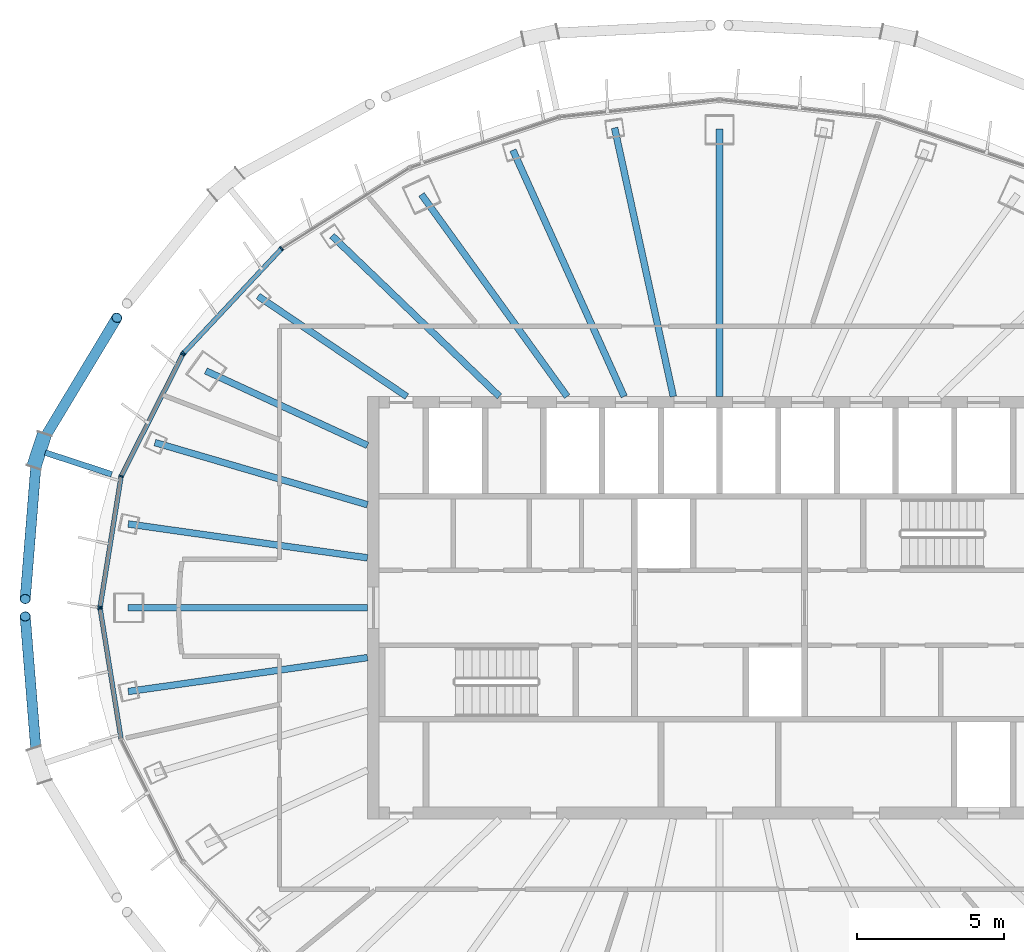
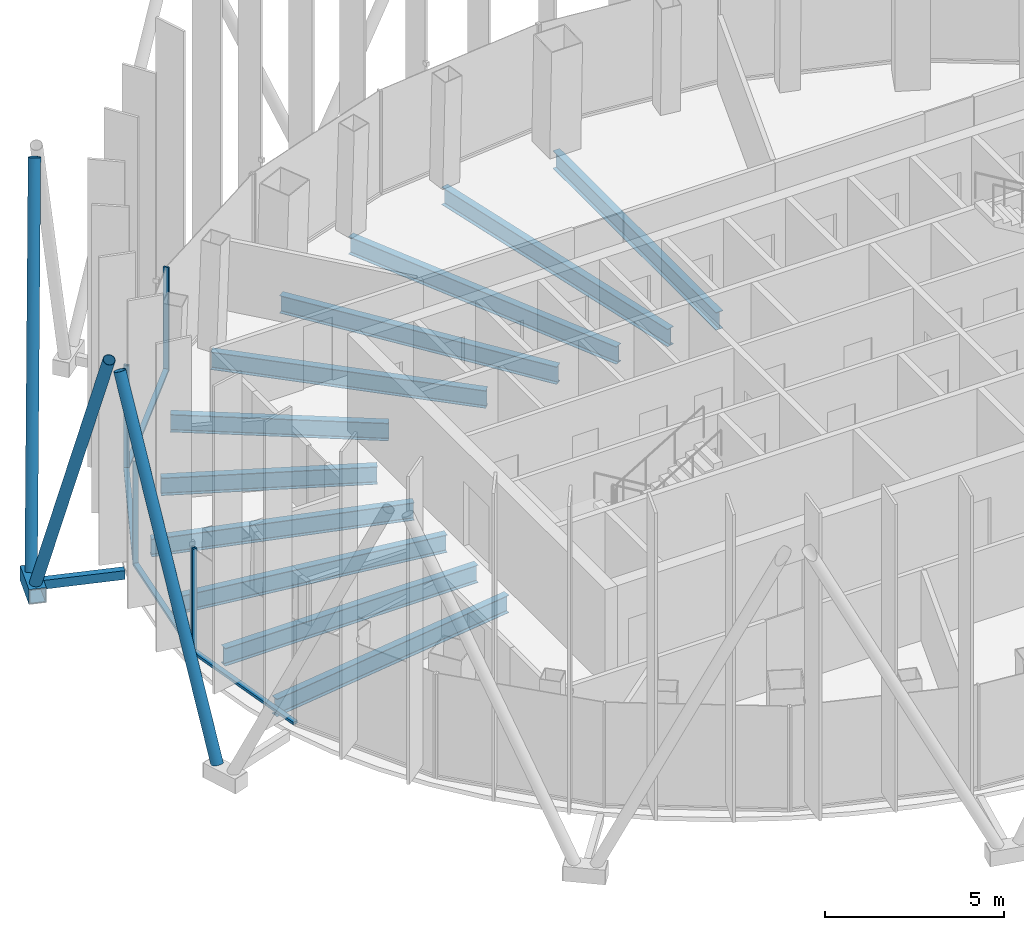
# One storey, part 4 of 19: 15 members, 11 beams, 3 elements without a shape of their own.
"""IFC4 building model written with IfcOpenShell, lengths in metres."""

from ifc_helpers import new_model, si_unit, direction, frame, origin, origin_2d, place, context, subcontext, project, spatial, rectangle, hollow_rectangle, hollow_circle, i_section, extrude, material, layer, layer_set, material_profile, profile_set, type_object, element, aggregate, save


model = new_model("IFC4")

# Units and contexts
model_context = context("Model", 3, precision=1e-05, world=origin(), true_north=direction((0.0, 1.0)))
body_context = subcontext(model_context, "Body", "Model", "MODEL_VIEW")
ifc_project = project(units=[si_unit("LENGTHUNIT", "METRE"), si_unit("AREAUNIT", "SQUARE_METRE"), si_unit("VOLUMEUNIT", "CUBIC_METRE"), si_unit("PLANEANGLEUNIT", "RADIAN"), si_unit("MASSUNIT", "GRAM", prefix="KILO")], contexts=[model_context])

# Site, building, storey
site_placement = place(None, origin())
site = spatial("IfcSite", under=ifc_project, at=site_placement, CompositionType="ELEMENT")
building_placement = place(site_placement, origin())
building = spatial("IfcBuilding", under=site, at=building_placement, Name="Siaravel Broadcast Tower", CompositionType="ELEMENT")
storey_placement = place(building_placement, frame((0.0, 0.0, 239.300048828125)))
storey = spatial("IfcBuildingStorey", under=building, at=storey_placement, Name="L58", CompositionType="ELEMENT", Elevation=239.300048828125)

# Beams
ifc_material_1 = material(Name="Steel S355", Category="steel")
ifc_material_profile_1 = material_profile(ifc_material_1, i_section(OverallWidth=0.2275390625, OverallDepth=0.6025390625, WebThickness=0.010498046875, FlangeThickness=0.014892578125, FilletRadius=0.0126953125, at=origin_2d()))
ifc_profile_set_1 = profile_set([ifc_material_profile_1], Name="Steel S355")
beam_type = type_object("IfcBeamType", Name="BM-UB 610x229x101", PredefinedType="BEAM", material=ifc_profile_set_1)
beam_1_placement = place(storey_placement, frame((0.0, 16.314208984375, -0.451416015625), z_axis=(0.0, -1.0, 0.0), x_axis=(1.0, 0.0, 0.0)))
element("IfcBeam", 1, at=beam_1_placement, inside=storey, type_object=beam_type, Name="Radial beam RB10", PredefinedType="BEAM", context=body_context, shape_type="SweptSolid", body=[
    extrude(i_section(OverallWidth=0.2275390625, OverallDepth=0.6025390625, WebThickness=0.010498046875, FlangeThickness=0.014892578125, FilletRadius=0.0126953125, at=origin_2d()), origin(), (0.0, 0.0, 1.0), 9.1142578125),
])
beam_2_placement = place(storey_placement, frame((-3.577392578125, 16.35791015625, -0.451416015625), z_axis=(0.213633966, -0.976913777, 0.0), x_axis=(0.976913777, 0.213633966, 0.0)))
element("IfcBeam", 2, at=beam_2_placement, inside=storey, type_object=beam_type, Name="Radial beam RB11", PredefinedType="BEAM", context=body_context, shape_type="SweptSolid", body=[
    extrude(i_section(OverallWidth=0.2275390625, OverallDepth=0.6025390625, WebThickness=0.010498046875, FlangeThickness=0.014892578125, FilletRadius=0.0126953125, at=origin_2d()), origin(), (0.0, 0.0, 1.0), 9.374267578125),
])
beam_3_placement = place(storey_placement, frame((-7.042724609375, 15.597412109375, -0.451416015625), z_axis=(0.411505786, -0.911407147, 0.0), x_axis=(0.911407147, 0.411505786, 0.0)))
element("IfcBeam", 3, at=beam_3_placement, inside=storey, type_object=beam_type, Name="Radial beam RB12", PredefinedType="BEAM", context=body_context, shape_type="SweptSolid", body=[
    extrude(i_section(OverallWidth=0.2275390625, OverallDepth=0.6025390625, WebThickness=0.010498046875, FlangeThickness=0.014892578125, FilletRadius=0.0126953125, at=origin_2d()), origin(), (0.0, 0.0, 1.0), 9.213623046875),
])
beam_4_placement = place(storey_placement, frame((-10.15966796875, 14.0869140625, -0.451416015625), z_axis=(0.584939282, -0.811077084, 0.0), x_axis=(0.811077084, 0.584939282, 0.0)))
element("IfcBeam", 4, at=beam_4_placement, inside=storey, type_object=beam_type, Name="Radial beam RB13", PredefinedType="BEAM", context=body_context, shape_type="SweptSolid", body=[
    extrude(i_section(OverallWidth=0.2275390625, OverallDepth=0.6025390625, WebThickness=0.010498046875, FlangeThickness=0.014892578125, FilletRadius=0.0126953125, at=origin_2d()), origin(), (0.0, 0.0, 1.0), 8.4912109375),
])
beam_5_placement = place(storey_placement, frame((-13.21240234375, 12.680908203125, -0.451416015625), z_axis=(0.721455119, -0.692461198, 0.0), x_axis=(0.692461198, 0.721455119, 0.0)))
element("IfcBeam", 5, at=beam_5_placement, inside=storey, type_object=beam_type, Name="Radial beam RB14", PredefinedType="BEAM", context=body_context, shape_type="SweptSolid", body=[
    extrude(i_section(OverallWidth=0.2275390625, OverallDepth=0.6025390625, WebThickness=0.010498046875, FlangeThickness=0.014892578125, FilletRadius=0.0126953125, at=origin_2d()), origin(), (0.0, 0.0, 1.0), 7.915283203125),
])
beam_6_placement = place(storey_placement, frame((-15.727294921875, 10.62109375, -0.451416015625), z_axis=(0.828723642, -0.559658043, 0.0), x_axis=(0.559658043, 0.828723642, 0.0)))
element("IfcBeam", 6, at=beam_6_placement, inside=storey, type_object=beam_type, Name="Radial beam RB15", PredefinedType="BEAM", context=body_context, shape_type="SweptSolid", body=[
    extrude(i_section(OverallWidth=0.2275390625, OverallDepth=0.6025390625, WebThickness=0.010498046875, FlangeThickness=0.014892578125, FilletRadius=0.0126953125, at=origin_2d()), origin(), (0.0, 0.0, 1.0), 6.113037109375),
])
beam_7_placement = place(storey_placement, frame((-17.512451171875, 8.073486328125, -0.451416015625), z_axis=(0.908128823, -0.418690865, 0.0), x_axis=(0.418690865, 0.908128823, 0.0)))
element("IfcBeam", 7, at=beam_7_placement, inside=storey, type_object=beam_type, Name="Radial beam RB16", PredefinedType="BEAM", context=body_context, shape_type="SweptSolid", body=[
    extrude(i_section(OverallWidth=0.2275390625, OverallDepth=0.6025390625, WebThickness=0.010498046875, FlangeThickness=0.014892578125, FilletRadius=0.0126953125, at=origin_2d()), origin(), (0.0, 0.0, 1.0), 6.070068359375),
])
beam_8_placement = place(storey_placement, frame((-19.24658203125, 5.631103515625, -0.451416015625), z_axis=(0.959767168, -0.280797052, 0.0), x_axis=(0.280797052, 0.959767168, 0.0)))
element("IfcBeam", 8, at=beam_8_placement, inside=storey, type_object=beam_type, Name="Radial beam RB17", PredefinedType="BEAM", context=body_context, shape_type="SweptSolid", body=[
    extrude(i_section(OverallWidth=0.2275390625, OverallDepth=0.6025390625, WebThickness=0.010498046875, FlangeThickness=0.014892578125, FilletRadius=0.0126953125, at=origin_2d()), origin(), (0.0, 0.0, 1.0), 7.55029296875),
])
beam_9_placement = place(storey_placement, frame((-20.15478515625, 2.855712890625, -0.451416015625), z_axis=(0.990109516, -0.140296639, 0.0), x_axis=(0.140296639, 0.990109516, 0.0)))
element("IfcBeam", 9, at=beam_9_placement, inside=storey, type_object=beam_type, Name="Radial beam RB18", PredefinedType="BEAM", context=body_context, shape_type="SweptSolid", body=[
    extrude(i_section(OverallWidth=0.2275390625, OverallDepth=0.6025390625, WebThickness=0.010498046875, FlangeThickness=0.014892578125, FilletRadius=0.0126953125, at=origin_2d()), origin(), (0.0, 0.0, 1.0), 8.236328125),
])
beam_10_placement = place(storey_placement, frame((-20.159912109375, 0.0, -0.451416015625), z_axis=(1.0, 0.0, 0.0), x_axis=(0.0, 1.0, 0.0)))
element("IfcBeam", 10, at=beam_10_placement, inside=storey, type_object=beam_type, Name="Radial beam RB19", PredefinedType="BEAM", context=body_context, shape_type="SweptSolid", body=[
    extrude(i_section(OverallWidth=0.2275390625, OverallDepth=0.6025390625, WebThickness=0.010498046875, FlangeThickness=0.014892578125, FilletRadius=0.0126953125, at=origin_2d()), origin(), (0.0, 0.0, 1.0), 8.159912109375),
])
beam_11_placement = place(storey_placement, frame((-20.15478515625, -2.855712890625, -0.451416015625), z_axis=(0.990109516, 0.140296639, 0.0), x_axis=(-0.140296639, 0.990109516, 0.0)))
element("IfcBeam", 11, at=beam_11_placement, inside=storey, type_object=beam_type, Name="Radial beam RB20", PredefinedType="BEAM", context=body_context, shape_type="SweptSolid", body=[
    extrude(i_section(OverallWidth=0.2275390625, OverallDepth=0.6025390625, WebThickness=0.010498046875, FlangeThickness=0.014892578125, FilletRadius=0.0126953125, at=origin_2d()), origin(), (0.0, 0.0, 1.0), 8.236328125),
])

# Curtain wall, members
ifc_material_2 = material(Name="Aluminium 6063-T6", Category="aluminium")
ifc_layer = layer(ifc_material_2, 0.159912109375)
ifc_layer_set = layer_set([ifc_layer], Name="Aluminium 6063-T6")
curtain_wall_type = type_object("IfcCurtainWallType", Name="Unitised curtain wall, zone 4", PredefinedType="NOTDEFINED", material=ifc_layer_set)
curtain_wall_1_placement = place(storey_placement, origin())
curtain_wall_1 = element("IfcCurtainWall", 12, at=curtain_wall_1_placement, inside=storey, type_object=curtain_wall_type, Name="L58 Unitised curtain wall, zone 4 05", PredefinedType="NOTDEFINED")
ifc_material_profile_2 = material_profile(ifc_material_2, rectangle(XDim=0.159912109375, YDim=0.054931640625, at=origin_2d()))
ifc_profile_set_2 = profile_set([ifc_material_profile_2], Name="Aluminium 6063-T6")
member_type_1 = type_object("IfcMemberType", Name="CW-Z4 mullion", PredefinedType="MULLION", material=ifc_profile_set_2)
member_1_placement = place(storey_placement, frame((-14.928955078125, 12.2412109375, 0.0), z_axis=(0.0, 0.0, 1.0), x_axis=(0.636219923, -0.771507751, 0.0)))
member_1 = element("IfcMember", 13, at=member_1_placement, type_object=member_type_1, Name="CW-Z4 mullion 2", PredefinedType="MULLION", context=body_context, shape_type="SweptSolid", body=[
    extrude(rectangle(XDim=0.159912109375, YDim=0.054931640625, at=origin_2d()), origin(), (0.0, 0.0, 1.0), 3.550048828125),
])
member_2_placement = place(storey_placement, frame((-18.267333984375, 8.67724609375, 0.0), z_axis=(0.0, 0.0, 1.0), x_axis=(0.729806527, -0.683653738, 0.0)))
member_2 = element("IfcMember", 14, at=member_2_placement, type_object=member_type_1, Name="CW-Z4 mullion 3", PredefinedType="MULLION", context=body_context, shape_type="SweptSolid", body=[
    extrude(rectangle(XDim=0.159912109375, YDim=0.054931640625, at=origin_2d()), origin(), (0.0, 0.0, 1.0), 3.550048828125),
])

curtain_wall_2_placement = place(storey_placement, origin())
curtain_wall_2 = element("IfcCurtainWall", 15, at=curtain_wall_2_placement, inside=storey, type_object=curtain_wall_type, Name="L58 Unitised curtain wall, zone 4 06", PredefinedType="NOTDEFINED")
member_3_placement = place(storey_placement, frame((-18.298583984375, 8.6328125, 0.0), z_axis=(0.0, 0.0, 1.0), x_axis=(0.892392891, -0.451259268, 0.0)))
member_3 = element("IfcMember", 16, at=member_3_placement, type_object=member_type_1, Name="CW-Z4 mullion 1", PredefinedType="MULLION", context=body_context, shape_type="SweptSolid", body=[
    extrude(rectangle(XDim=0.159912109375, YDim=0.054931640625, at=origin_2d()), origin(), (0.0, 0.0, 1.0), 3.550048828125),
])
member_4_placement = place(storey_placement, frame((-20.3974609375, 4.48193359375, 0.0), z_axis=(0.0, 0.0, 1.0), x_axis=(0.951177611, -0.308644055, 0.0)))
member_4 = element("IfcMember", 17, at=member_4_placement, type_object=member_type_1, Name="CW-Z4 mullion 2", PredefinedType="MULLION", context=body_context, shape_type="SweptSolid", body=[
    extrude(rectangle(XDim=0.159912109375, YDim=0.054931640625, at=origin_2d()), origin(), (0.0, 0.0, 1.0), 3.550048828125),
])
member_5_placement = place(storey_placement, frame((-21.11328125, 0.027099609375, 0.0), z_axis=(0.0, 0.0, 1.0), x_axis=(0.987329304, -0.158684735, 0.0)))
member_5 = element("IfcMember", 18, at=member_5_placement, type_object=member_type_1, Name="CW-Z4 mullion 3", PredefinedType="MULLION", context=body_context, shape_type="SweptSolid", body=[
    extrude(rectangle(XDim=0.159912109375, YDim=0.054931640625, at=origin_2d()), origin(), (0.0, 0.0, 1.0), 3.550048828125),
])

# Curtain wall, member
curtain_wall_3_placement = place(storey_placement, origin())
curtain_wall_3 = element("IfcCurtainWall", 19, at=curtain_wall_3_placement, inside=storey, type_object=curtain_wall_type, Name="L58 Unitised curtain wall, zone 4 07", PredefinedType="NOTDEFINED")
member_6_placement = place(storey_placement, frame((-21.11328125, -0.027099609375, 0.0), z_axis=(0.0, 0.0, 1.0), x_axis=(0.987329304, 0.158684735, 0.0)))
member_6 = element("IfcMember", 20, at=member_6_placement, type_object=member_type_1, Name="CW-Z4 mullion 1", PredefinedType="MULLION", context=body_context, shape_type="SweptSolid", body=[
    extrude(rectangle(XDim=0.159912109375, YDim=0.054931640625, at=origin_2d()), origin(), (0.0, 0.0, 1.0), 3.550048828125),
])

# Member
ifc_material_profile_3 = material_profile(ifc_material_2, rectangle(XDim=0.159912109375, YDim=0.090087890625, at=origin_2d()))
ifc_profile_set_3 = profile_set([ifc_material_profile_3], Name="Aluminium 6063-T6")
member_type_2 = type_object("IfcMemberType", Name="CW-Z4 transom", PredefinedType="USERDEFINED", material=ifc_profile_set_3)
member_7_placement = place(storey_placement, frame((-14.94775390625, 12.22119140625, 0.044921875), z_axis=(-0.683646721, -0.7298131, 0.0), x_axis=(0.7298131, -0.683646721, 0.0)))
member_7 = element("IfcMember", 21, at=member_7_placement, type_object=member_type_2, Name="CW-Z4 transom 2", ObjectType="TRANSOM", PredefinedType="USERDEFINED", context=body_context, shape_type="SweptSolid", body=[
    extrude(rectangle(XDim=0.159912109375, YDim=0.090087890625, at=origin_2d()), origin(), (0.0, 0.0, 1.0), 4.828125),
])

aggregate(curtain_wall_1, [member_1, member_2, member_7])

member_8_placement = place(storey_placement, frame((-18.310791015625, 8.608154296875, 0.044921875), z_axis=(-0.451288387, -0.892378166, 0.0), x_axis=(0.892378166, -0.451288387, 0.0)))
member_8 = element("IfcMember", 22, at=member_8_placement, type_object=member_type_2, Name="CW-Z4 transom 1", ObjectType="TRANSOM", PredefinedType="USERDEFINED", context=body_context, shape_type="SweptSolid", body=[
    extrude(rectangle(XDim=0.159912109375, YDim=0.090087890625, at=origin_2d()), origin(), (0.0, 0.0, 1.0), 4.59619140625),
])

member_9_placement = place(storey_placement, frame((-20.40185546875, 4.454833984375, 0.044921875), z_axis=(-0.15868477, -0.987329299, 0.0), x_axis=(0.987329299, -0.15868477, 0.0)))
member_9 = element("IfcMember", 23, at=member_9_placement, type_object=member_type_2, Name="CW-Z4 transom 2", ObjectType="TRANSOM", PredefinedType="USERDEFINED", context=body_context, shape_type="SweptSolid", body=[
    extrude(rectangle(XDim=0.159912109375, YDim=0.090087890625, at=origin_2d()), origin(), (0.0, 0.0, 1.0), 4.45703125),
])

aggregate(curtain_wall_2, [member_3, member_4, member_5, member_8, member_9])

member_10_placement = place(storey_placement, frame((-21.109130859375, -0.05419921875, 0.044921875), z_axis=(0.15868477, -0.987329299, 0.0), x_axis=(0.987329299, 0.15868477, 0.0)))
member_10 = element("IfcMember", 24, at=member_10_placement, type_object=member_type_2, Name="CW-Z4 transom 1", ObjectType="TRANSOM", PredefinedType="USERDEFINED", context=body_context, shape_type="SweptSolid", body=[
    extrude(rectangle(XDim=0.159912109375, YDim=0.090087890625, at=origin_2d()), origin(), (0.0, 0.0, 1.0), 4.45703125),
])

aggregate(curtain_wall_3, [member_6, member_10])

# Members
ifc_material_3 = material(Name="Steel S460", Category="steel")
ifc_material_profile_4 = material_profile(ifc_material_3, hollow_circle(Radius=0.177734375, WallThickness=0.012451171875, at=origin_2d()))
ifc_profile_set_4 = profile_set([ifc_material_profile_4], Name="Steel S460")
member_type_3 = type_object("IfcMemberType", Name="Diagrid diagonal CHS 355.6x12.5", PredefinedType="BRACE", material=ifc_profile_set_4)
member_11_placement = place(storey_placement, frame((-23.100341796875, 5.63720703125, 0.02001953125), z_axis=(0.217706207, 0.361279339, 0.906686962), x_axis=(-0.856509654, 0.516131004, 0.0)))
element("IfcMember", 25, at=member_11_placement, inside=storey, type_object=member_type_3, Name="Diagrid diagonal R24 station 33C", PredefinedType="BRACE", context=body_context, shape_type="SweptSolid", body=[
    extrude(hollow_circle(Radius=0.177734375, WallThickness=0.012451171875, at=origin_2d()), origin(), (0.0, 0.0, 1.0), 11.757080078125),
])
for number, where, z_axis, x_axis, name in (
    (26, (-23.2841796875, 5.0751953125, 0.02001953125), (-0.032813412, -0.408903993, 0.911987283), (0.996795659, -0.079990089, 0.0), "Diagrid diagonal R24 station 33A"),
    (27, (-23.2841796875, -5.0751953125, 0.02001953125), (-0.032813412, 0.408903993, 0.911987283), (-0.996795659, -0.079990089, 0.0), "Diagrid diagonal R24 station 39C"),
):
    element("IfcMember", number, at=place(storey_placement, frame(where, z_axis=z_axis, x_axis=x_axis)), inside=storey, type_object=member_type_3, Name=name, PredefinedType="BRACE", context=body_context, shape_type="SweptSolid", body=[
        extrude(hollow_circle(Radius=0.177734375, WallThickness=0.012451171875, at=origin_2d()), origin(), (0.0, 0.0, 1.0), 11.688720703125),
    ])
ifc_material_profile_5 = material_profile(ifc_material_3, hollow_rectangle(XDim=0.5, YDim=0.5, WallThickness=0.031982421875, at=origin_2d()))
ifc_profile_set_5 = profile_set([ifc_material_profile_5], Name="Steel S460")
member_type_4 = type_object("IfcMemberType", Name="Diagrid node BOX 500x500x32", PredefinedType="USERDEFINED", material=ifc_profile_set_5)
member_12_placement = place(storey_placement, frame((-23.0078125, 5.920166015625, -0.199951171875), z_axis=(-0.310853231, -0.950457926, 0.0), x_axis=(0.950457926, -0.310853231, 0.0)))
element("IfcMember", 28, at=member_12_placement, inside=storey, type_object=member_type_4, Name="Diagrid node R24 station 33", ObjectType="DIAGRID NODE", PredefinedType="USERDEFINED", context=body_context, shape_type="SweptSolid", body=[
    extrude(hollow_rectangle(XDim=0.5, YDim=0.5, WallThickness=0.031982421875, at=origin_2d()), origin(), (0.0, 0.0, 1.0), 1.186767578125),
])
ifc_material_profile_6 = material_profile(ifc_material_3, hollow_rectangle(XDim=0.199951171875, YDim=0.300048828125, WallThickness=0.012451171875, at=origin_2d()))
ifc_profile_set_6 = profile_set([ifc_material_profile_6], Name="Steel S460")
member_type_5 = type_object("IfcMemberType", Name="Diagrid node arm RHS 300x200x12.5", PredefinedType="STRUT", material=ifc_profile_set_6)
member_13_placement = place(storey_placement, frame((-20.720947265625, 4.5478515625, -0.199951171875), z_axis=(-0.950442877, 0.31089924, 0.0), x_axis=(-0.31089924, -0.950442877, 0.0)))
element("IfcMember", 29, at=member_13_placement, inside=storey, type_object=member_type_5, Name="Node arm R24 station 33", PredefinedType="STRUT", context=body_context, shape_type="SweptSolid", body=[
    extrude(hollow_rectangle(XDim=0.199951171875, YDim=0.300048828125, WallThickness=0.012451171875, at=origin_2d()), origin(), (0.0, 0.0, 1.0), 2.380126953125),
])

save(model, "model.ifc")
